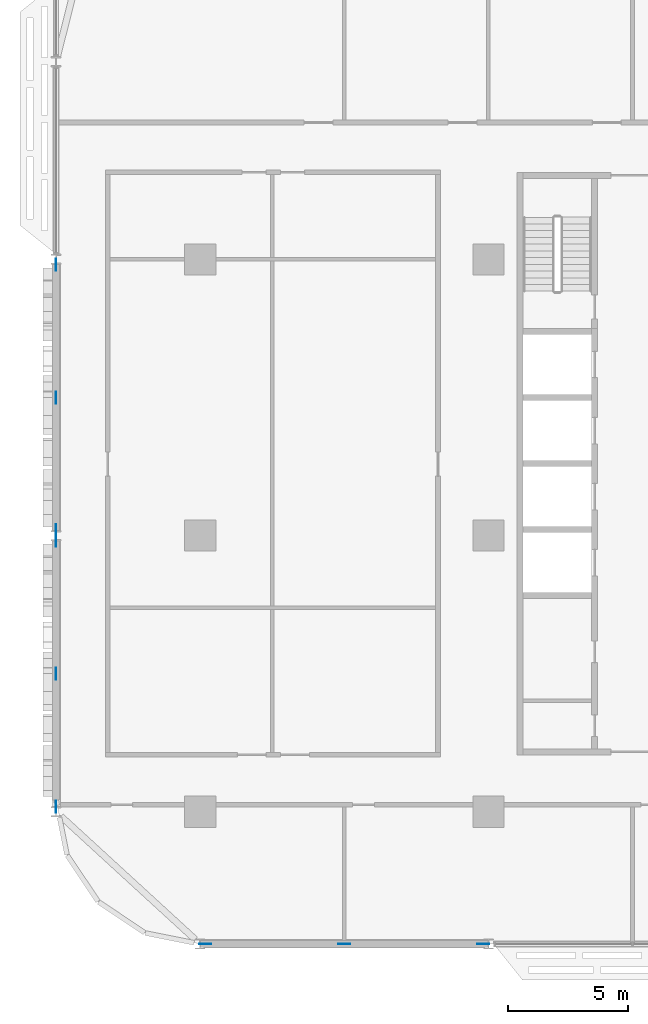
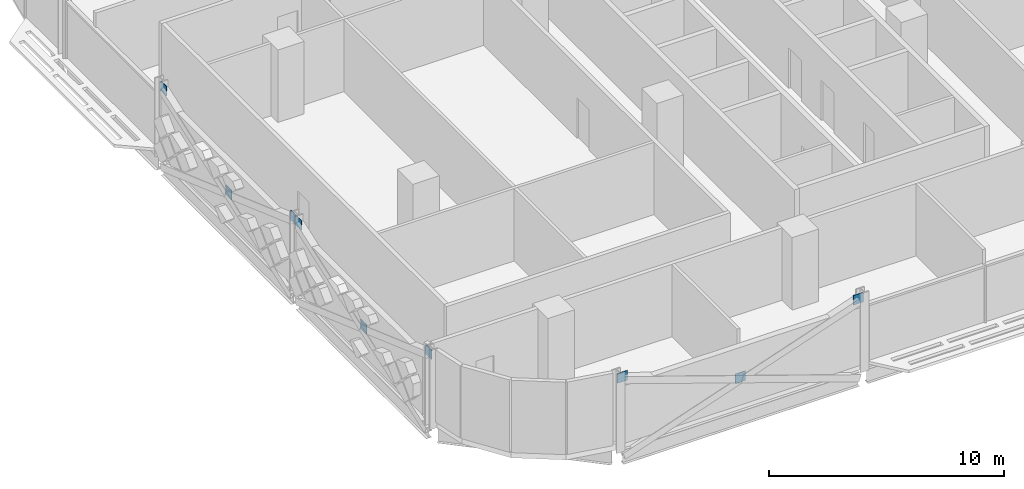
# One storey, part 20 of 29: 9 discrete accessories.
"""IFC4 building model written with IfcOpenShell, lengths in metres."""

from ifc_helpers import new_model, si_unit, direction, frame, origin, origin_2d, place, context, subcontext, project, spatial, rectangle, extrude, material, layer, layer_set, type_object, element, save


model = new_model("IFC4")

# Units and contexts
model_context = context("Model", 3, precision=1e-05, world=origin(), true_north=direction((0.0, 1.0)))
body_context = subcontext(model_context, "Body", "Model", "MODEL_VIEW")
ifc_project = project(units=[si_unit("LENGTHUNIT", "METRE"), si_unit("AREAUNIT", "SQUARE_METRE"), si_unit("VOLUMEUNIT", "CUBIC_METRE"), si_unit("PLANEANGLEUNIT", "RADIAN"), si_unit("MASSUNIT", "GRAM", prefix="KILO")], contexts=[model_context])

# Site, building, storey
site_placement = place(None, origin())
site = spatial("IfcSite", under=ifc_project, at=site_placement, CompositionType="ELEMENT")
building_placement = place(site_placement, origin())
building = spatial("IfcBuilding", under=site, at=building_placement, Name="Mahtab Terrace Research Tower", CompositionType="ELEMENT")
storey_placement = place(building_placement, frame((0.0, 0.0, 126.10009765625)))
storey = spatial("IfcBuildingStorey", under=building, at=storey_placement, Name="L29", CompositionType="ELEMENT", Elevation=126.10009765625)

# Discrete accessories
ifc_material = material(Name="Steel ASTM A992 Gr 50", Category="steel")
ifc_layer = layer(ifc_material, 0.030029296875)
ifc_layer_set = layer_set([ifc_layer], Name="Gusset plate 500x500x30")
discrete_accessory_type = type_object("IfcDiscreteAccessoryType", Name="Gusset plate 500x500x30", PredefinedType="USERDEFINED", material=ifc_layer_set)
for number, where, z_axis, x_axis, name in (
    (1, (-41.794189453125, -17.0, 3.13134765625), (0.0, 0.0, 1.0), (1.0, 0.0, 0.0), "Gusset plate"),
    (2, (-36.0, -17.0, 1.081298828125), (0.0, 0.0, 1.0), (1.0, 0.0, 0.0), "Gusset plate"),
    (3, (-30.205810546875, -17.0, 3.13134765625), (0.0, 0.0, 1.0), (1.0, 0.0, 0.0), "Gusset plate"),
    (4, (-48.0, -11.28271484375, 3.13134765625), (0.0, 0.0, 1.0), (0.0, 1.0, 0.0), "Gusset plate"),
    (5, (-48.0, -5.75, 1.081298828125), (0.0, 0.0, 1.0), (0.0, 1.0, 0.0), "Gusset plate"),
    (6, (-48.0, -0.21728515625, 3.13134765625), (0.0, 0.0, 1.0), (0.0, 1.0, 0.0), "Gusset plate"),
    (7, (-48.0, 0.21728515625, 3.13134765625), (0.0, 0.0, 1.0), (0.0, 1.0, 0.0), "Gusset plate"),
    (8, (-48.0, 5.75, 1.081298828125), (0.0, 0.0, 1.0), (0.0, 1.0, 0.0), "Gusset plate"),
    (9, (-48.0, 11.28271484375, 3.13134765625), (0.0, 0.0, 1.0), (0.0, 1.0, 0.0), "Gusset plate"),
):
    element("IfcDiscreteAccessory", number, at=place(storey_placement, frame(where, z_axis=z_axis, x_axis=x_axis)), inside=storey, type_object=discrete_accessory_type, Name=name, ObjectType="GUSSET PLATE", PredefinedType="USERDEFINED", context=body_context, shape_type="SweptSolid", body=[
        extrude(rectangle(XDim=0.5, YDim=0.030029296875, at=origin_2d()), origin(), (0.0, 0.0, 1.0), 0.5),
    ])

save(model, "model.ifc")
